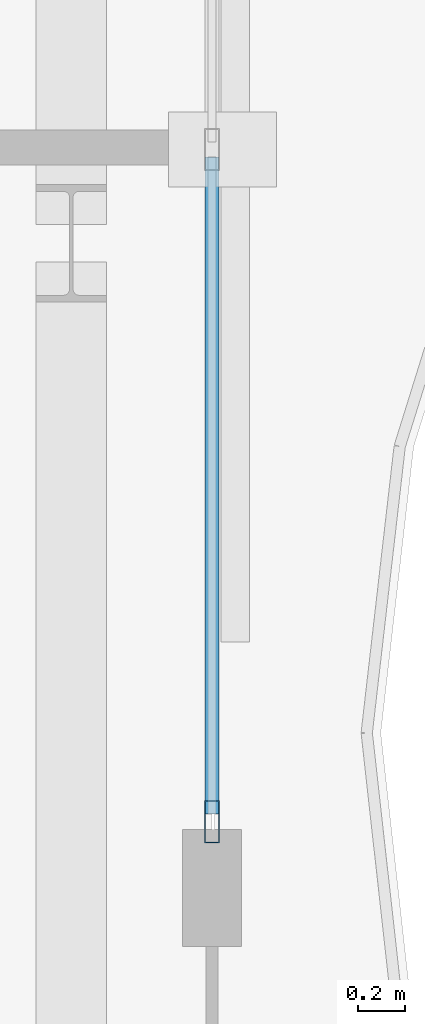
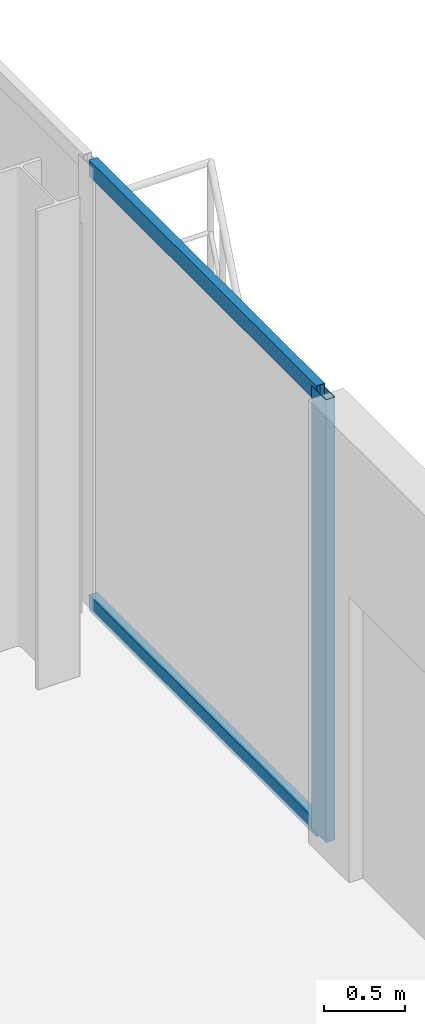
# One storey, part 14 of 24: 3 members, 1 element without a shape of its own.
"""IFC4 building model written with IfcOpenShell, lengths in metres."""

from ifc_helpers import new_model, si_unit, direction, frame, origin, origin_2d, place, context, subcontext, project, spatial, hollow_rectangle, extrude, material, layer, layer_set, material_profile, profile_set, type_object, element, aggregate, save


model = new_model("IFC4")

# Units and contexts
model_context = context("Model", 3, precision=1e-05, world=origin(), true_north=direction((0.0, 1.0)))
body_context = subcontext(model_context, "Body", "Model", "MODEL_VIEW")
ifc_project = project(units=[si_unit("LENGTHUNIT", "METRE"), si_unit("AREAUNIT", "SQUARE_METRE"), si_unit("VOLUMEUNIT", "CUBIC_METRE"), si_unit("PLANEANGLEUNIT", "RADIAN"), si_unit("MASSUNIT", "GRAM", prefix="KILO")], contexts=[model_context])

# Site, building, storey
site_placement = place(None, origin())
site = spatial("IfcSite", under=ifc_project, at=site_placement, CompositionType="ELEMENT")
building_placement = place(site_placement, origin())
building = spatial("IfcBuilding", under=site, at=building_placement, Name="Catumbela Crestline Tower", CompositionType="ELEMENT")
storey_placement = place(building_placement, frame((0.0, 0.0, 161.4)))
storey = spatial("IfcBuildingStorey", under=building, at=storey_placement, Name="L41", CompositionType="ELEMENT", Elevation=161.4)

# Curtain wall, members
ifc_material = material(Name="Aluminium alloy AW-6060-T66", Category="aluminium")
ifc_layer = layer(ifc_material, 0.18, Name="Aluminium alloy AW-6060-T66")
ifc_layer_set = layer_set([ifc_layer], Name="Aluminium alloy AW-6060-T66")
curtain_wall_type = type_object("IfcCurtainWallType", Name="CWU-Z3", PredefinedType="USERDEFINED", material=ifc_layer_set)
curtain_wall_placement = place(storey_placement, origin())
curtain_wall = element("IfcCurtainWall", 1, at=curtain_wall_placement, inside=storey, type_object=curtain_wall_type, Name="L41 Unitised Curtain Wall CW-L41-E5S2", ObjectType="UNITISED", PredefinedType="USERDEFINED")
ifc_material_profile_1 = material_profile(ifc_material, hollow_rectangle(XDim=0.065, YDim=0.18, WallThickness=0.004, at=origin_2d()), Name="ALU 180x65x4")
ifc_profile_set_1 = profile_set([ifc_material_profile_1], Name="Aluminium alloy AW-6060-T66")
member_type_1 = type_object("IfcMemberType", Name="MUL-180X65", PredefinedType="MULLION", material=ifc_profile_set_1)
member_1_placement = place(storey_placement, frame((51.0, 33.7325, 0.0), z_axis=(0.0, 0.0, 1.0), x_axis=(-1.0, 0.0, 0.0)))
member_1 = element("IfcMember", 2, at=member_1_placement, type_object=member_type_1, Name="CWU-Z3 mullion 1", PredefinedType="MULLION", context=body_context, shape_type="SweptSolid", body=[
    extrude(hollow_rectangle(XDim=0.065, YDim=0.18, WallThickness=0.004, at=origin_2d()), origin(), (0.0, 0.0, 1.0), 3.33),
])
ifc_material_profile_2 = material_profile(ifc_material, hollow_rectangle(XDim=0.06, YDim=0.12, WallThickness=0.0035, at=origin_2d()), Name="ALU 120x60x3.5")
ifc_profile_set_2 = profile_set([ifc_material_profile_2], Name="Aluminium alloy AW-6060-T66")
member_type_2 = type_object("IfcMemberType", Name="TRN-120X60", PredefinedType="USERDEFINED", material=ifc_profile_set_2)
member_2_placement = place(storey_placement, frame((51.0, 33.765, 0.03), z_axis=(0.0, 1.0, 0.0), x_axis=(-1.0, 0.0, 0.0)))
member_2 = element("IfcMember", 3, at=member_2_placement, type_object=member_type_2, Name="CWU-Z3 transom 1.1", ObjectType="TRANSOM", PredefinedType="USERDEFINED", context=body_context, shape_type="SweptSolid", body=[
    extrude(hollow_rectangle(XDim=0.06, YDim=0.12, WallThickness=0.0035, at=origin_2d()), origin(), (0.0, 0.0, 1.0), 2.8025),
])
member_3_placement = place(storey_placement, frame((51.0, 33.765, 3.3), z_axis=(0.0, 1.0, 0.0), x_axis=(-1.0, 0.0, 0.0)))
member_3 = element("IfcMember", 4, at=member_3_placement, type_object=member_type_2, Name="CWU-Z3 transom 1.2", ObjectType="TRANSOM", PredefinedType="USERDEFINED", context=body_context, shape_type="SweptSolid", body=[
    extrude(hollow_rectangle(XDim=0.06, YDim=0.12, WallThickness=0.0035, at=origin_2d()), origin(), (0.0, 0.0, 1.0), 2.8025),
])
aggregate(curtain_wall, [member_1, member_2, member_3])

save(model, "model.ifc")
